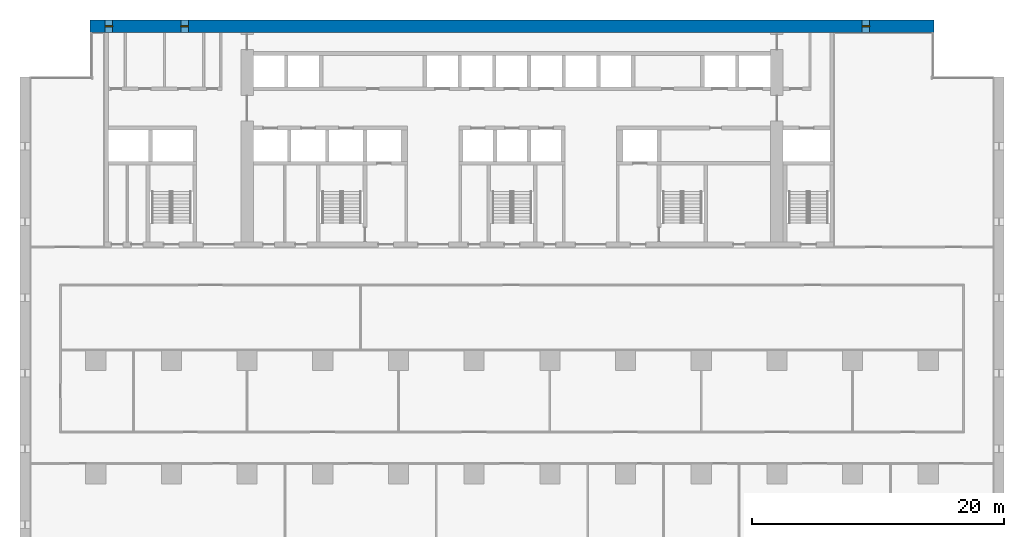
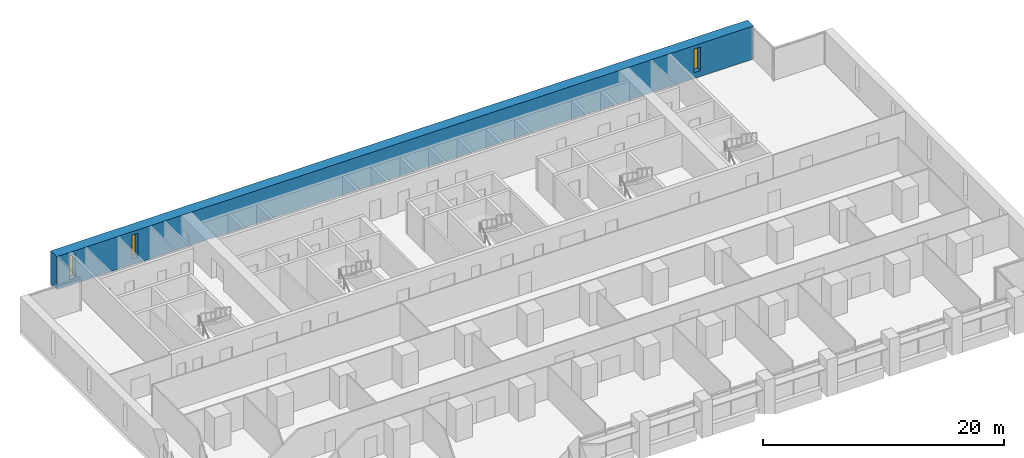
# One storey, part 12 of 18: 3 windows, 1 wall, 3 openings.
"""IFC4 building model written with IfcOpenShell, lengths in metres."""

from ifc_helpers import new_model, si_unit, direction, frame, frame_2d, origin, place, context, subcontext, project, spatial, rectangle, extrude, material, layer, layer_set, type_object, element, fill, save


model = new_model("IFC4")

# Units and contexts
model_context = context("Model", 3, precision=1e-05, world=origin(), true_north=direction((0.0, 1.0)))
body_context = subcontext(model_context, "Body", "Model", "MODEL_VIEW")
ifc_project = project(units=[si_unit("LENGTHUNIT", "METRE"), si_unit("AREAUNIT", "SQUARE_METRE"), si_unit("VOLUMEUNIT", "CUBIC_METRE"), si_unit("PLANEANGLEUNIT", "RADIAN"), si_unit("MASSUNIT", "GRAM", prefix="KILO")], contexts=[model_context])

# Site, building, storey
site_placement = place(None, origin())
site = spatial("IfcSite", under=ifc_project, at=site_placement, CompositionType="ELEMENT")
building_placement = place(site_placement, origin())
building = spatial("IfcBuilding", under=site, at=building_placement, Name="Calvaro Tower", CompositionType="ELEMENT")
storey_placement = place(building_placement, frame((0.0, 0.0, 63.75)))
storey = spatial("IfcBuildingStorey", under=building, at=storey_placement, Name="L15", CompositionType="ELEMENT", Elevation=63.75)

# Wall, openings, windows
ifc_material_1 = material(Name="Concrete C80/95", Category="concrete")
ifc_layer = layer(ifc_material_1, 1.0)
ifc_layer_set = layer_set([ifc_layer], Name="Concrete C80/95")
wall_type = type_object("IfcWallType", Name="Rear core wall 1000 C80/95", PredefinedType="SHEAR", material=ifc_layer_set)
wall_placement = place(storey_placement, frame((5.550048828125, 45.5, 0.0), z_axis=(0.0, 0.0, 1.0), x_axis=(1.0, 0.0, 0.0)))
wall = element("IfcWall", 1, at=wall_placement, inside=storey, type_object=wall_type, Name="North core wall", PredefinedType="SHEAR", context=body_context, shape_type="SweptSolid", body=[
    extrude(rectangle(XDim=66.89990234375, YDim=1.0, at=frame_2d((33.449951171875, 0.0))), origin(), (0.0, 0.0, 1.0), 3.35009765625),
])
opening_1_placement = place(wall_placement, frame((1.199951171875, 0.0, 0.60009765625)))
opening_1 = element("IfcOpeningElement", 2, at=opening_1_placement, cuts=wall, Name="Opening WN01", PredefinedType="OPENING", context=body_context, shape_type="SweptSolid", body=[
    extrude(rectangle(XDim=0.60009765625, YDim=2.39990234375, at=frame_2d((0.300048828125, 1.199951171875))), frame((0.0, 0.510009765625, 0.0), z_axis=(0.0, -1.0, 0.0), x_axis=(1.0, 0.0, 0.0)), (0.0, 0.0, 1.0), 1.02001953125),
])
opening_2_placement = place(wall_placement, frame((7.199951171875, 0.0, 0.60009765625)))
opening_2 = element("IfcOpeningElement", 3, at=opening_2_placement, cuts=wall, Name="Opening WN02", PredefinedType="OPENING", context=body_context, shape_type="SweptSolid", body=[
    extrude(rectangle(XDim=0.60009765625, YDim=2.39990234375, at=frame_2d((0.300048828125, 1.199951171875))), frame((0.0, 0.510009765625, 0.0), z_axis=(0.0, -1.0, 0.0), x_axis=(1.0, 0.0, 0.0)), (0.0, 0.0, 1.0), 1.02001953125),
])
opening_3_placement = place(wall_placement, frame((61.199951171875, 0.0, 0.60009765625)))
opening_3 = element("IfcOpeningElement", 4, at=opening_3_placement, cuts=wall, Name="Opening WN11", PredefinedType="OPENING", context=body_context, shape_type="SweptSolid", body=[
    extrude(rectangle(XDim=0.60009765625, YDim=2.39990234375, at=frame_2d((0.300048828125, 1.199951171875))), frame((0.0, 0.510009765625, 0.0), z_axis=(0.0, -1.0, 0.0), x_axis=(1.0, 0.0, 0.0)), (0.0, 0.0, 1.0), 1.02001953125),
])
ifc_material_2 = material(Name="Glass", Category="glass")
window_type = type_object("IfcWindowType", Name="Slit window 600 x 2400", PartitioningType="SINGLE_PANEL", PredefinedType="WINDOW", material=ifc_material_2)
window_1_placement = place(opening_1_placement, origin())
window_1 = element("IfcWindow", 5, at=window_1_placement, inside=storey, type_object=window_type, Name="Window WN01", OverallHeight=2.39990234375, OverallWidth=0.60009765625, PartitioningType="SINGLE_PANEL", PredefinedType="WINDOW", context=body_context, shape_type="SweptSolid", body=[
    extrude(rectangle(XDim=0.60009765625, YDim=2.39990234375, at=frame_2d((0.300048828125, 1.199951171875))), frame((0.0, 0.030029296875, 0.0), z_axis=(0.0, -1.0, 0.0), x_axis=(1.0, 0.0, 0.0)), (0.0, 0.0, 1.0), 0.06005859375),
])
fill(opening_1, window_1)
window_2_placement = place(opening_2_placement, origin())
window_2 = element("IfcWindow", 6, at=window_2_placement, inside=storey, type_object=window_type, Name="Window WN02", OverallHeight=2.39990234375, OverallWidth=0.60009765625, PartitioningType="SINGLE_PANEL", PredefinedType="WINDOW", context=body_context, shape_type="SweptSolid", body=[
    extrude(rectangle(XDim=0.60009765625, YDim=2.39990234375, at=frame_2d((0.300048828125, 1.199951171875))), frame((0.0, 0.030029296875, 0.0), z_axis=(0.0, -1.0, 0.0), x_axis=(1.0, 0.0, 0.0)), (0.0, 0.0, 1.0), 0.06005859375),
])
fill(opening_2, window_2)
window_3_placement = place(opening_3_placement, origin())
window_3 = element("IfcWindow", 7, at=window_3_placement, inside=storey, type_object=window_type, Name="Window WN11", OverallHeight=2.39990234375, OverallWidth=0.60009765625, PartitioningType="SINGLE_PANEL", PredefinedType="WINDOW", context=body_context, shape_type="SweptSolid", body=[
    extrude(rectangle(XDim=0.60009765625, YDim=2.39990234375, at=frame_2d((0.300048828125, 1.199951171875))), frame((0.0, 0.030029296875, 0.0), z_axis=(0.0, -1.0, 0.0), x_axis=(1.0, 0.0, 0.0)), (0.0, 0.0, 1.0), 0.06005859375),
])
fill(opening_3, window_3)

save(model, "model.ifc")
